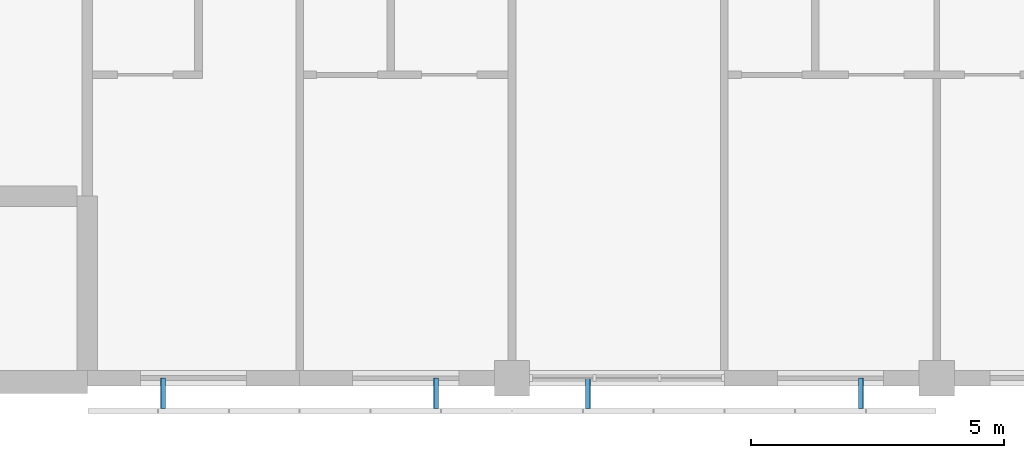
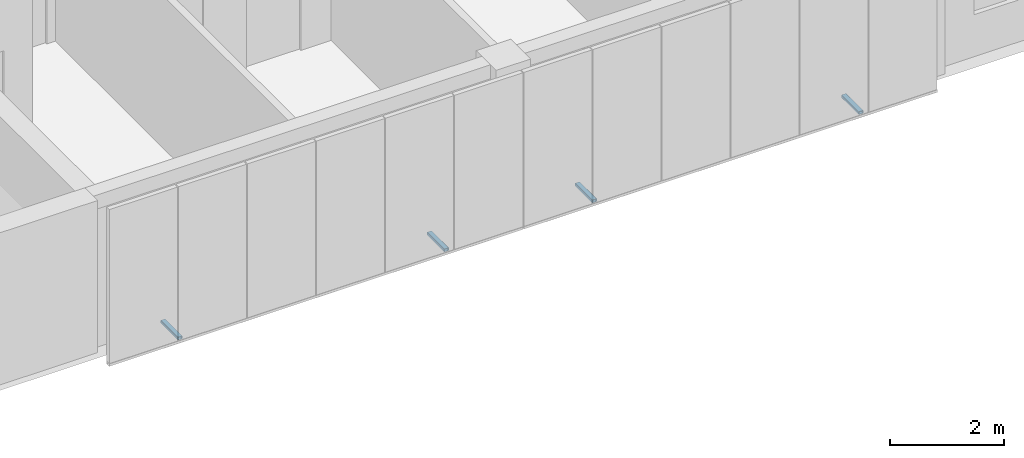
# One storey, part 52 of 61: 4 discrete accessories.
"""IFC4 building model written with IfcOpenShell, lengths in metres."""

import ifcopenshell
import ifcopenshell.guid

model = None  # the IFC model being written
_history = None  # IfcOwnerHistory: only IFC2X3 demands one
_inside = {}  # id of a spatial element -> (the spatial element, [elements in it])
_under = {}  # id of a project, library or spatial element -> (it, [spatial elements below it])
_declared = {}  # id of a project -> (the project, [libraries it declares])
_typed = {}  # id of a type object -> (the type object, [elements of that type])
_made_of = {}  # id of a material, layer set ... -> (it, [elements and type objects made of it])


def new_model(schema):
    """Start an empty IFC model of exactly this schema.

    Asked for "IFC4X3", IfcOpenShell would pick the latest addendum, in which some entities
    have other attributes; the version numbers below select the first issue.
    IFC2X3 requires an IfcOwnerHistory on every rooted entity: one is made here for all.
    """
    global model, _history
    if schema == "IFC4X3":
        model = ifcopenshell.file(schema_version=(4, 3, 0, 0))
    else:
        model = ifcopenshell.file(schema=schema)
    _inside.clear()
    _under.clear()
    _declared.clear()
    _typed.clear()
    _made_of.clear()
    _history = None
    if model.schema == "IFC2X3":
        org = make("IfcOrganization", Name="unknown")
        user = make(
            "IfcPersonAndOrganization",
            ThePerson=make("IfcPerson", FamilyName="unknown"),
            TheOrganization=org,
        )
        app = make(
            "IfcApplication",
            ApplicationDeveloper=org,
            Version="unknown",
            ApplicationFullName="unknown",
            ApplicationIdentifier="unknown",
        )
        _history = make(
            "IfcOwnerHistory",
            OwningUser=user,
            OwningApplication=app,
            ChangeAction="ADDED",
            CreationDate=0,
        )
    return model


def make(cls, **values):
    """One entity of the class cls with the attributes given. An attribute that is None is left unset."""
    return model.create_entity(
        cls, **{name: value for name, value in values.items() if value is not None}
    )


def rooted(cls, **values):
    """An entity with a GlobalId (a new one), such as an element, a storey or a relation."""
    return make(cls, GlobalId=ifcopenshell.guid.new(), OwnerHistory=_history, **values)


def si_unit(unit_type, name, prefix=None):
    """IfcSIUnit, for example si_unit("LENGTHUNIT", "METRE", prefix="MILLI")."""
    return make("IfcSIUnit", UnitType=unit_type, Prefix=prefix, Name=name)


def assignment(units):
    """IfcUnitAssignment: the units of a project."""
    return None if units is None else make("IfcUnitAssignment", Units=units)


def point(xyz):
    """IfcCartesianPoint."""
    return None if xyz is None else make("IfcCartesianPoint", Coordinates=xyz)


def direction(xyz):
    """IfcDirection."""
    return None if xyz is None else make("IfcDirection", DirectionRatios=xyz)


def frame(location, z_axis=None, x_axis=None):
    """IfcAxis2Placement3D, a coordinate frame: its origin and axes. An axis left out is left unset."""
    return make(
        "IfcAxis2Placement3D",
        Location=point(location),
        Axis=direction(z_axis),
        RefDirection=direction(x_axis),
    )


def frame_2d(location, x_axis=None):
    """IfcAxis2Placement2D, a coordinate frame in the plane: its origin and x axis."""
    return make(
        "IfcAxis2Placement2D", Location=point(location), RefDirection=direction(x_axis)
    )


def origin():
    """The frame at (0, 0, 0) with its axes left unset."""
    return frame((0.0, 0.0, 0.0))


def origin_2d():
    """The frame at (0, 0) in the plane with its x axis left unset."""
    return frame_2d((0.0, 0.0))


def place(relative_to, where):
    """IfcLocalPlacement: puts the frame where relative to a parent placement (None: the world)."""
    return make(
        "IfcLocalPlacement", PlacementRelTo=relative_to, RelativePlacement=where
    )


def context(
    kind, dimensions, precision=None, world=None, true_north=None, identifier=None
):
    """IfcGeometricRepresentationContext, for example the 3D "Model" context."""
    return make(
        "IfcGeometricRepresentationContext",
        ContextIdentifier=identifier,
        ContextType=kind,
        CoordinateSpaceDimension=dimensions,
        Precision=precision,
        WorldCoordinateSystem=world,
        TrueNorth=true_north,
    )


def subcontext(parent, identifier, kind, view, scale=None):
    """IfcGeometricRepresentationSubContext, for example "Body" below "Model"."""
    return make(
        "IfcGeometricRepresentationSubContext",
        ContextIdentifier=identifier,
        ContextType=kind,
        ParentContext=parent,
        TargetScale=scale,
        TargetView=view,
    )


def project(units=None, contexts=None):
    """IfcProject with its units and contexts."""
    return rooted(
        "IfcProject",
        Name="project",
        RepresentationContexts=contexts,
        UnitsInContext=assignment(units),
    )


def spatial(cls, under=None, at=None, **own):
    """A site, building, storey or space (cls), placed at a placement, below another one or the project."""
    s = rooted(cls, ObjectPlacement=at, **own)
    if under is not None:
        _under.setdefault(under.id(), (under, []))[1].append(s)
    return s


def profile(cls, at=None, kind="AREA", **sizes):
    """A parametric profile (cls). Its sizes go by their IFC names, for example OverallWidth=200.0."""
    return make(cls, ProfileType=kind, Position=at, **sizes)


def hollow_rectangle(**sizes):
    """IfcRectangleHollowProfileDef."""
    return profile("IfcRectangleHollowProfileDef", **sizes)


def extrude(swept, where, along, depth):
    """IfcExtrudedAreaSolid: the profile swept, set in the frame where, extruded along a direction by depth."""
    return make(
        "IfcExtrudedAreaSolid",
        SweptArea=swept,
        Position=where,
        ExtrudedDirection=direction(along),
        Depth=depth,
    )


def shape(context_of_items, identifier, shape_type, items):
    """IfcShapeRepresentation: the items that make up one representation, for example the "Body"."""
    return make(
        "IfcShapeRepresentation",
        ContextOfItems=context_of_items,
        RepresentationIdentifier=identifier,
        RepresentationType=shape_type,
        Items=items,
    )


def material(Name=None, Category=None):
    """IfcMaterial."""
    return make("IfcMaterial", Name=Name, Category=Category)


def material_profile(
    of_material, cross_section, Name=None, Category=None, Priority=None
):
    """IfcMaterialProfile: a cross section and its material."""
    return make(
        "IfcMaterialProfile",
        Name=Name,
        Material=of_material,
        Profile=cross_section,
        Priority=Priority,
        Category=Category,
    )


def profile_set(profiles, Name=None, composite=None):
    """IfcMaterialProfileSet."""
    return make(
        "IfcMaterialProfileSet",
        Name=Name,
        MaterialProfiles=profiles,
        CompositeProfile=composite,
    )


def made_of(thing, what):
    """Note that an element or type object is made of a material, layer set ...; save() writes the relation."""
    if what is not None:
        _made_of.setdefault(what.id(), (what, []))[1].append(thing)
    return thing


def type_object(cls, material=None, **own):
    """A type object (cls), such as IfcWallType, which elements share."""
    return made_of(rooted(cls, **own), material)


def element(
    cls,
    number,
    at=None,
    inside=None,
    cuts=None,
    type_object=None,
    material=None,
    context=None,
    identifier="Body",
    shape_type=None,
    held_by="IfcProductDefinitionShape",
    body=None,
    shapes=None,
    **own,
):
    """One element of the class cls, such as IfcWall. Its Tag is "e" and its number.

    at: its placement. inside: the storey or other place that contains it. cuts: it is an
    opening in that element (IfcRelVoidsElement). A single representation is given by context,
    identifier, shape_type and body (its items); several are given by shapes. held_by: the class
    of the entity that holds the representations. save() writes the other relations.
    """
    e = rooted(cls, Tag="e%d" % number, ObjectPlacement=at, **own)
    if body is not None:
        shapes = [shape(context, identifier, shape_type, body)]
    if shapes is not None:
        e.Representation = make(held_by, Representations=shapes)
    if inside is not None:
        _inside.setdefault(inside.id(), (inside, []))[1].append(e)
    if cuts is not None:
        rooted(
            "IfcRelVoidsElement", RelatingBuildingElement=cuts, RelatedOpeningElement=e
        )
    if type_object is not None:
        _typed.setdefault(type_object.id(), (type_object, []))[1].append(e)
    return made_of(e, material)


def aggregate(whole, parts):
    """IfcRelAggregates: a whole, such as a stair, and the parts it consists of."""
    return rooted("IfcRelAggregates", RelatingObject=whole, RelatedObjects=parts)


def save(model, path):
    """Write the relations noted so far, then the file.

    IfcRelAggregates (storeys below a building ...), IfcRelContainedInSpatialStructure (elements
    in a storey), IfcRelDefinesByType, IfcRelAssociatesMaterial and IfcRelDeclares: one each for
    every whole, place, type object, material and project.
    """
    for whole, parts in _under.values():
        aggregate(whole, parts)
    for where, things in _inside.values():
        rooted(
            "IfcRelContainedInSpatialStructure",
            RelatedElements=things,
            RelatingStructure=where,
        )
    for kind, things in _typed.values():
        rooted("IfcRelDefinesByType", RelatedObjects=things, RelatingType=kind)
    for what, things in _made_of.values():
        rooted("IfcRelAssociatesMaterial", RelatedObjects=things, RelatingMaterial=what)
    for by, libraries in _declared.values():
        rooted("IfcRelDeclares", RelatingContext=by, RelatedDefinitions=libraries)
    model.write(path)


model = new_model("IFC4")

# Units and contexts
model_context = context("Model", 3, precision=1e-05, world=origin(), true_north=direction((0.0, 1.0)))
body_context = subcontext(model_context, "Body", "Model", "MODEL_VIEW")
ifc_project = project(units=[si_unit("LENGTHUNIT", "METRE"), si_unit("AREAUNIT", "SQUARE_METRE"), si_unit("VOLUMEUNIT", "CUBIC_METRE"), si_unit("PLANEANGLEUNIT", "RADIAN"), si_unit("MASSUNIT", "GRAM", prefix="KILO")], contexts=[model_context])

# Site, building, storey
site_placement = place(None, origin())
site = spatial("IfcSite", under=ifc_project, at=site_placement, CompositionType="ELEMENT")
building_placement = place(site_placement, origin())
building = spatial("IfcBuilding", under=site, at=building_placement, Name="Yavir Park General Hospital", CompositionType="ELEMENT")
storey_placement = place(building_placement, frame((0.0, 0.0, 15.300048828125)))
storey = spatial("IfcBuildingStorey", under=building, at=storey_placement, Name="L03", CompositionType="ELEMENT", Elevation=15.300048828125)

# Discrete accessories
ifc_material = material(Name="Steel S355", Category="steel")
ifc_material_profile = material_profile(ifc_material, hollow_rectangle(XDim=0.10009765625, YDim=0.06005859375, WallThickness=0.006103515625, InnerFilletRadius=0.006103515625, OuterFilletRadius=0.011962890625, at=origin_2d()), Name="RHS60x100x6")
ifc_profile_set = profile_set([ifc_material_profile], Name="Steel S355")
discrete_accessory_type = type_object("IfcDiscreteAccessoryType", Name="Screen bracket RHS 60 x 100", PredefinedType="BRACKET", material=ifc_profile_set)
for number, where, z_axis, x_axis, name in (
    (1, (144.300048828125, 0.0, -0.030029296875), (0.0, -1.0, 0.0), (1.0, 0.0, 0.0), "Screen bracket S18.1.1"),
    (2, (149.699951171875, 0.0, -0.030029296875), (0.0, -1.0, 0.0), (1.0, 0.0, 0.0), "Screen bracket S18.1.2"),
    (3, (152.699951171875, 0.0, -0.030029296875), (0.0, -1.0, 0.0), (1.0, 0.0, 0.0), "Screen bracket S19.1.1"),
    (4, (158.10009765625, 0.0, -0.030029296875), (0.0, -1.0, 0.0), (1.0, 0.0, 0.0), "Screen bracket S19.1.2"),
):
    element("IfcDiscreteAccessory", number, at=place(storey_placement, frame(where, z_axis=z_axis, x_axis=x_axis)), inside=storey, type_object=discrete_accessory_type, Name=name, PredefinedType="BRACKET", context=body_context, shape_type="SweptSolid", body=[
        extrude(hollow_rectangle(XDim=0.10009765625, YDim=0.06005859375, WallThickness=0.006103515625, InnerFilletRadius=0.006103515625, OuterFilletRadius=0.011962890625, at=origin_2d()), origin(), (0.0, 0.0, 1.0), 0.60009765625),
    ])

save(model, "model.ifc")
